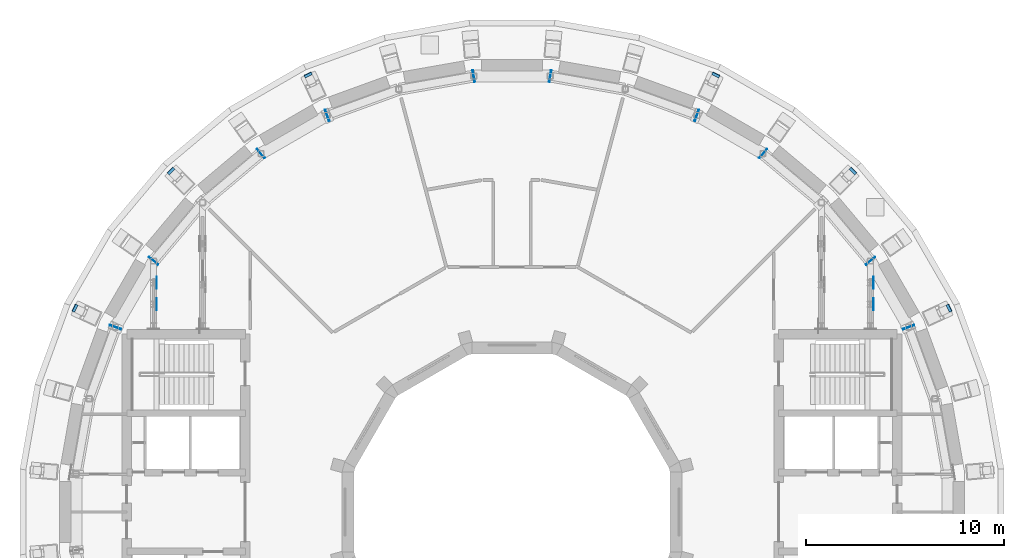
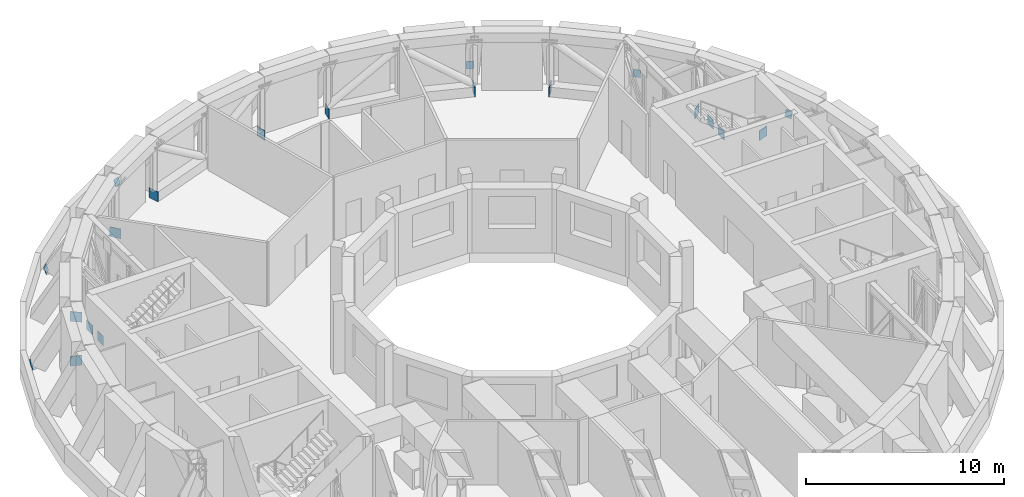
# One storey, part 19 of 20: 20 discrete accessories.
"""IFC4 building model written with IfcOpenShell, lengths in metres."""

from ifc_helpers import new_model, si_unit, direction, frame, origin, origin_2d, place, context, subcontext, project, spatial, rectangle, extrude, material, material_profile, profile_set, type_object, element, save


model = new_model("IFC4")

# Units and contexts
model_context = context("Model", 3, precision=1e-05, world=origin(), true_north=direction((0.0, 1.0)))
body_context = subcontext(model_context, "Body", "Model", "MODEL_VIEW")
ifc_project = project(units=[si_unit("LENGTHUNIT", "METRE"), si_unit("AREAUNIT", "SQUARE_METRE"), si_unit("VOLUMEUNIT", "CUBIC_METRE"), si_unit("PLANEANGLEUNIT", "RADIAN"), si_unit("MASSUNIT", "GRAM", prefix="KILO")], contexts=[model_context])

# Site, building, storey
site_placement = place(None, origin())
site = spatial("IfcSite", under=ifc_project, at=site_placement, CompositionType="ELEMENT")
building_placement = place(site_placement, origin())
building = spatial("IfcBuilding", under=site, at=building_placement, Name="Saqina Gate Tower", CompositionType="ELEMENT")
storey_placement = place(building_placement, frame((0.0, 0.0, 220.199951171875)))
storey = spatial("IfcBuildingStorey", under=building, at=storey_placement, Name="L63", CompositionType="ELEMENT", Elevation=220.199951171875)

# Discrete accessories
ifc_material_1 = material(Name="Steel S460", Category="steel")
ifc_material_profile_1 = material_profile(ifc_material_1, rectangle(XDim=0.39990234375, YDim=0.39990234375, at=origin_2d()), Name="STR-END PLATE-BOX 400x400x30")
ifc_profile_set_1 = profile_set([ifc_material_profile_1], Name="Steel S460")
discrete_accessory_type_1 = type_object("IfcDiscreteAccessoryType", Name="STR-END PLATE-BOX 400x400x30", PredefinedType="USERDEFINED", material=ifc_profile_set_1)
discrete_accessory_1_placement = place(storey_placement, frame((22.114013671875, 10.311767578125, 0.1884765625), z_axis=(0.852058384385, 0.401450584951, -0.335907632306), x_axis=(0.426216137466, -0.904621359555, 7.72641e-07)))
element("IfcDiscreteAccessory", 1, at=discrete_accessory_1_placement, inside=storey, type_object=discrete_accessory_type_1, Name="END PLATE NODE TIE BEAM L63 03 FOOT START", ObjectType="END PLATE", PredefinedType="USERDEFINED", context=body_context, shape_type="SweptSolid", body=[
    extrude(rectangle(XDim=0.39990234375, YDim=0.39990234375, at=origin_2d()), origin(), (0.0, 0.0, 1.0), 0.02978515625),
])
discrete_accessory_2_placement = place(storey_placement, frame((17.25341796875, 17.25341796875, 0.1884765625), z_axis=(0.666666666667, 0.666666666667, -0.333333333333), x_axis=(0.707106781187, -0.707106781187, 0.0)))
element("IfcDiscreteAccessory", 2, at=discrete_accessory_2_placement, inside=storey, type_object=discrete_accessory_type_1, Name="END PLATE NODE TIE BEAM L63 05 FOOT START", ObjectType="END PLATE", PredefinedType="USERDEFINED", context=body_context, shape_type="SweptSolid", body=[
    extrude(rectangle(XDim=0.39990234375, YDim=0.39990234375, at=origin_2d()), origin(), (0.0, 0.0, 1.0), 0.030029296875),
])
for number, where, z_axis, x_axis, name in (
    (3, (10.311767578125, 22.114013671875, 0.1884765625), (0.401450584951, 0.852058384385, -0.335907632306), (0.904621359555, -0.426216137466, -7.72641e-07), "END PLATE NODE TIE BEAM L63 07 FOOT START"),
    (4, (-10.311767578125, 22.114013671875, 0.1884765625), (-0.401450584951, 0.852058384385, -0.335907632306), (0.904621359555, 0.426216137466, 7.72641e-07), "END PLATE NODE TIE BEAM L63 12 FOOT START"),
):
    element("IfcDiscreteAccessory", number, at=place(storey_placement, frame(where, z_axis=z_axis, x_axis=x_axis)), inside=storey, type_object=discrete_accessory_type_1, Name=name, ObjectType="END PLATE", PredefinedType="USERDEFINED", context=body_context, shape_type="SweptSolid", body=[
        extrude(rectangle(XDim=0.39990234375, YDim=0.39990234375, at=origin_2d()), origin(), (0.0, 0.0, 1.0), 0.02978515625),
    ])
discrete_accessory_3_placement = place(storey_placement, frame((-17.25341796875, 17.25341796875, 0.1884765625), z_axis=(-0.666666666667, 0.666666666667, -0.333333333333), x_axis=(0.707106781187, 0.707106781187, 0.0)))
element("IfcDiscreteAccessory", 5, at=discrete_accessory_3_placement, inside=storey, type_object=discrete_accessory_type_1, Name="END PLATE NODE TIE BEAM L63 14 FOOT START", ObjectType="END PLATE", PredefinedType="USERDEFINED", context=body_context, shape_type="SweptSolid", body=[
    extrude(rectangle(XDim=0.39990234375, YDim=0.39990234375, at=origin_2d()), origin(), (0.0, 0.0, 1.0), 0.030029296875),
])
discrete_accessory_4_placement = place(storey_placement, frame((-22.114013671875, 10.311767578125, 0.1884765625), z_axis=(-0.852058384385, 0.401450584951, -0.335907632306), x_axis=(0.426216137466, 0.904621359555, -7.72641e-07)))
element("IfcDiscreteAccessory", 6, at=discrete_accessory_4_placement, inside=storey, type_object=discrete_accessory_type_1, Name="END PLATE NODE TIE BEAM L63 16 FOOT START", ObjectType="END PLATE", PredefinedType="USERDEFINED", context=body_context, shape_type="SweptSolid", body=[
    extrude(rectangle(XDim=0.39990234375, YDim=0.39990234375, at=origin_2d()), origin(), (0.0, 0.0, 1.0), 0.02978515625),
])
ifc_material_2 = material(Name="Steel S460", Category="steel")
ifc_material_profile_2 = material_profile(ifc_material_2, rectangle(XDim=0.60009765625, YDim=0.60009765625, at=origin_2d()), Name="STR-END PLATE-BOX 600x600x40")
ifc_profile_set_2 = profile_set([ifc_material_profile_2], Name="Steel S460")
discrete_accessory_type_2 = type_object("IfcDiscreteAccessoryType", Name="STR-END PLATE-BOX 600x600x40", PredefinedType="USERDEFINED", material=ifc_profile_set_2)
for number, where, z_axis, x_axis, name in (
    (7, (20.083740234375, 9.33642578125, 0.300048828125), (-0.341743063087, 0.939793423488, 0.0), (-0.939793423488, -0.341743063087, 0.0), "END PLATE BELT TRUSS L63 CHORD 004 END"),
    (8, (18.12744140625, 12.724853515625, 0.300048828125), (0.640184399664, -0.768221279597, 0.0), (-0.768221279597, -0.640184399664, 0.0), "END PLATE BELT TRUSS L63 CHORD 008 START"),
    (9, (12.724853515625, 18.12744140625, 0.300048828125), (-0.768221279597, 0.640184399664, 0.0), (-0.640184399664, -0.768221279597, 0.0), "END PLATE BELT TRUSS L63 CHORD 011 END"),
    (10, (9.33642578125, 20.083740234375, 0.300048828125), (0.939793423488, -0.341743063087, 0.0), (-0.341743063087, -0.939793423488, 0.0), "END PLATE BELT TRUSS L63 CHORD 015 START"),
    (11, (1.956298828125, 22.06103515625, 0.300048828125), (-0.984162001364, 0.177271416395, 0.0), (-0.177271416395, -0.984162001364, 0.0), "END PLATE BELT TRUSS L63 CHORD 018 END"),
    (12, (-1.956298828125, 22.06103515625, 0.300048828125), (0.984162001364, 0.177271416395, 0.0), (0.177271416395, -0.984162001364, 0.0), "END PLATE BELT TRUSS L63 CHORD 022 START"),
    (13, (-9.33642578125, 20.083740234375, 0.300048828125), (-0.939793423488, -0.341743063087, 0.0), (0.341743063087, -0.939793423488, 0.0), "END PLATE BELT TRUSS L63 CHORD 025 END"),
    (14, (-12.724853515625, 18.12744140625, 0.300048828125), (0.768221279597, 0.640184399664, 0.0), (0.640184399664, -0.768221279597, 0.0), "END PLATE BELT TRUSS L63 CHORD 029 START"),
    (15, (-18.12744140625, 12.724853515625, 0.300048828125), (-0.640184399664, -0.768221279597, 0.0), (0.768221279597, -0.640184399664, 0.0), "END PLATE BELT TRUSS L63 CHORD 032 END"),
    (16, (-20.083740234375, 9.33642578125, 0.300048828125), (0.341743063087, 0.939793423488, 0.0), (0.939793423488, -0.341743063087, 0.0), "END PLATE BELT TRUSS L63 CHORD 036 START"),
):
    element("IfcDiscreteAccessory", number, at=place(storey_placement, frame(where, z_axis=z_axis, x_axis=x_axis)), inside=storey, type_object=discrete_accessory_type_2, Name=name, ObjectType="END PLATE", PredefinedType="USERDEFINED", context=body_context, shape_type="SweptSolid", body=[
        extrude(rectangle(XDim=0.60009765625, YDim=0.60009765625, at=origin_2d()), origin(), (0.0, 0.0, 1.0), 0.0400390625),
    ])
ifc_material_3 = material(Name="Steel S460", Category="steel")
ifc_material_profile_3 = material_profile(ifc_material_3, rectangle(XDim=0.60009765625, YDim=0.60009765625, at=origin_2d()), Name="STR-END PLATE-GUSSET 600x600x20")
ifc_profile_set_3 = profile_set([ifc_material_profile_3], Name="Steel S460")
discrete_accessory_type_3 = type_object("IfcDiscreteAccessoryType", Name="STR-END PLATE-GUSSET 600x600x20", PredefinedType="USERDEFINED", material=ifc_profile_set_3)
for number, where, z_axis, x_axis, name in (
    (17, (18.294189453125, 10.513671875, 0.25), (1.0, 0.0, 0.0), (0.0, 1.0, 0.0), "GUSSET PLATE OUTRIGGER TRUSS L63 CHORD 120"),
    (18, (18.294189453125, 11.609130859375, 0.25), (1.0, 0.0, 0.0), (0.0, 1.0, 0.0), "GUSSET PLATE OUTRIGGER TRUSS L63 CHORD 124"),
    (19, (-17.994140625, 10.513671875, 0.25), (1.0, 0.0, 0.0), (0.0, 1.0, 0.0), "GUSSET PLATE OUTRIGGER TRUSS L63 CHORD 140"),
    (20, (-17.994140625, 11.609130859375, 0.25), (1.0, 0.0, 0.0), (0.0, 1.0, 0.0), "GUSSET PLATE OUTRIGGER TRUSS L63 CHORD 144"),
):
    element("IfcDiscreteAccessory", number, at=place(storey_placement, frame(where, z_axis=z_axis, x_axis=x_axis)), inside=storey, type_object=discrete_accessory_type_3, Name=name, ObjectType="GUSSET PLATE", PredefinedType="USERDEFINED", context=body_context, shape_type="SweptSolid", body=[
        extrude(rectangle(XDim=0.60009765625, YDim=0.60009765625, at=origin_2d()), origin(), (0.0, 0.0, 1.0), 0.02001953125),
    ])

save(model, "model.ifc")
